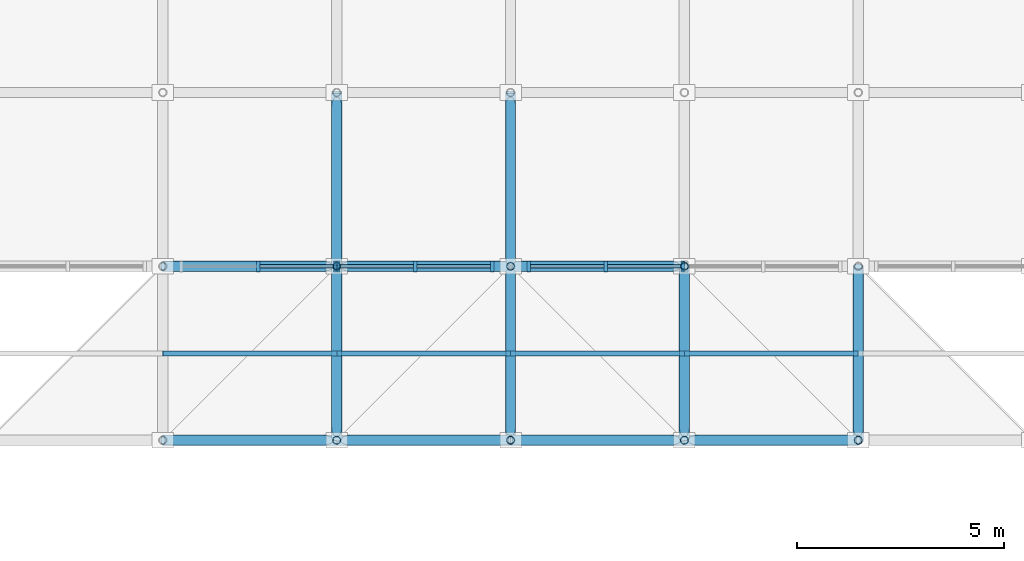
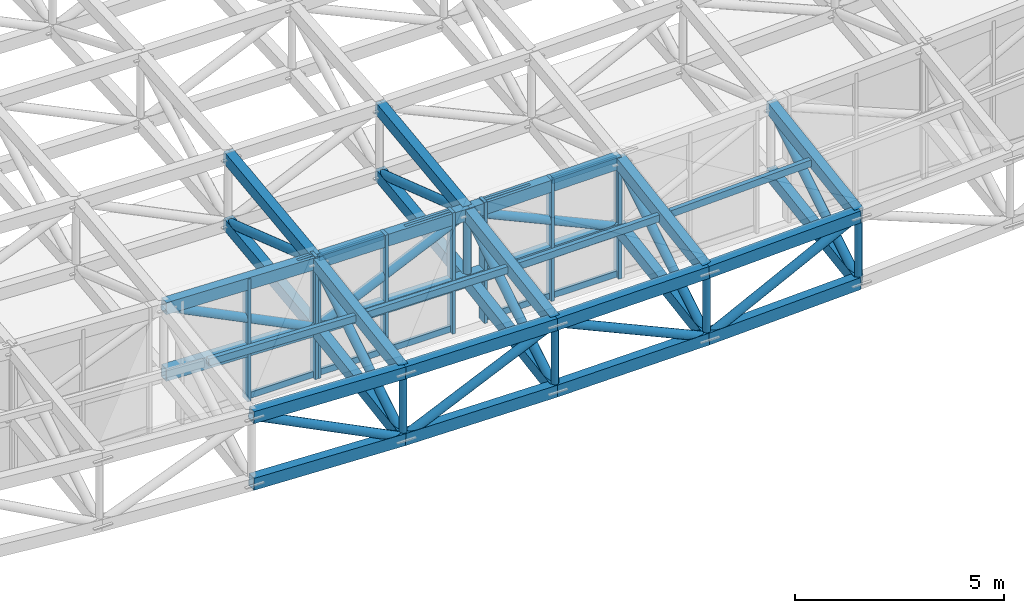
# One storey, part 39 of 111: 68 members, 3 elements without a shape of their own.
"""IFC4 building model written with IfcOpenShell, lengths in metres."""

from ifc_helpers import new_model, si_unit, direction, frame, origin, origin_2d, place, context, subcontext, project, spatial, rectangle, hollow_rectangle, hollow_circle, extrude, material, material_profile, profile_set, type_object, element, aggregate, save


model = new_model("IFC4")

# Units and contexts
model_context = context("Model", 3, precision=1e-05, world=origin(), true_north=direction((0.0, 1.0)))
body_context = subcontext(model_context, "Body", "Model", "MODEL_VIEW")
ifc_project = project(units=[si_unit("LENGTHUNIT", "METRE"), si_unit("AREAUNIT", "SQUARE_METRE"), si_unit("VOLUMEUNIT", "CUBIC_METRE"), si_unit("PLANEANGLEUNIT", "RADIAN"), si_unit("MASSUNIT", "GRAM", prefix="KILO")], contexts=[model_context])

# Site, building, storey
site_placement = place(None, origin())
site = spatial("IfcSite", under=ifc_project, at=site_placement, CompositionType="ELEMENT")
building_placement = place(site_placement, origin())
building = spatial("IfcBuilding", under=site, at=building_placement, Name="Cumbredor Promenade Congress Hotel", CompositionType="ELEMENT")
storey_placement = place(building_placement, frame((0.0, 0.0, 15.1201171875)))
storey = spatial("IfcBuildingStorey", under=building, at=storey_placement, Name="L04", CompositionType="ELEMENT", Elevation=15.1201171875)

# Curtain wall, members
ifc_material_1 = material(Name="Thermally broken anodized aluminium and low-E glass", Category="aluminium")
curtain_wall_type = type_object("IfcCurtainWallType", Name="Stepped Pavilion Clerestory Curtain Wall CW-06", PredefinedType="NOTDEFINED", material=ifc_material_1)
curtain_wall_1_placement = place(storey_placement, origin())
curtain_wall_1 = element("IfcCurtainWall", 1, at=curtain_wall_1_placement, inside=storey, type_object=curtain_wall_type, Name="Pre-Function and Breakout Meeting Forum S Glazed Clerestory 9", PredefinedType="NOTDEFINED")
ifc_material_2 = material(Name="Thermally broken anodized aluminium", Category="aluminium")
ifc_material_profile_1 = material_profile(ifc_material_2, rectangle(XDim=0.0849609375, YDim=0.260009765625, at=origin_2d()), Name="ALU MULLION CLERESTORY 85x260")
ifc_profile_set_1 = profile_set([ifc_material_profile_1], Name="Thermally broken anodized aluminium")
member_type_1 = type_object("IfcMemberType", Name="Curtain Wall Mullion ML-04", PredefinedType="MULLION", material=ifc_profile_set_1)
member_1_placement = place(storey_placement, frame((128.300048828125, 84.0, -0.01806640625), z_axis=(0.0, 0.0, 1.0), x_axis=(1.0, 0.0, 0.0)))
member_1 = element("IfcMember", 2, at=member_1_placement, type_object=member_type_1, Name="Pre-Function and Breakout Meeting Forum S Glazed Clerestory 9 Mullion 2", PredefinedType="MULLION", context=body_context, shape_type="SweptSolid", body=[
    extrude(rectangle(XDim=0.0849609375, YDim=0.260009765625, at=origin_2d()), origin(), (0.0, 0.0, 1.0), 3.5888671875),
])
member_2_placement = place(storey_placement, frame((130.159912109375, 84.0, -0.01806640625), z_axis=(0.0, 0.0, 1.0), x_axis=(1.0, 0.0, 0.0)))
member_2 = element("IfcMember", 3, at=member_2_placement, type_object=member_type_1, Name="Pre-Function and Breakout Meeting Forum S Glazed Clerestory 9 Mullion 3", PredefinedType="MULLION", context=body_context, shape_type="SweptSolid", body=[
    extrude(rectangle(XDim=0.0849609375, YDim=0.260009765625, at=origin_2d()), origin(), (0.0, 0.0, 1.0), 3.5888671875),
])

curtain_wall_2_placement = place(storey_placement, origin())
curtain_wall_2 = element("IfcCurtainWall", 4, at=curtain_wall_2_placement, inside=storey, type_object=curtain_wall_type, Name="Pre-Function and Breakout Meeting Forum S Glazed Clerestory 10", PredefinedType="NOTDEFINED")
member_3_placement = place(storey_placement, frame((130.239990234375, 84.0, -0.01806640625), z_axis=(0.0, 0.0, 1.0), x_axis=(1.0, 0.0, 0.0)))
member_3 = element("IfcMember", 5, at=member_3_placement, type_object=member_type_1, Name="Pre-Function and Breakout Meeting Forum S Glazed Clerestory 10 Mullion 1", PredefinedType="MULLION", context=body_context, shape_type="SweptSolid", body=[
    extrude(rectangle(XDim=0.0849609375, YDim=0.260009765625, at=origin_2d()), origin(), (0.0, 0.0, 1.0), 3.546630859375),
])
member_4_placement = place(storey_placement, frame((132.10009765625, 84.0, -0.01806640625), z_axis=(0.0, 0.0, 1.0), x_axis=(1.0, 0.0, 0.0)))
member_4 = element("IfcMember", 6, at=member_4_placement, type_object=member_type_1, Name="Pre-Function and Breakout Meeting Forum S Glazed Clerestory 10 Mullion 2", PredefinedType="MULLION", context=body_context, shape_type="SweptSolid", body=[
    extrude(rectangle(XDim=0.0849609375, YDim=0.260009765625, at=origin_2d()), origin(), (0.0, 0.0, 1.0), 3.546630859375),
])
member_5_placement = place(storey_placement, frame((133.9599609375, 84.0, -0.01806640625), z_axis=(0.0, 0.0, 1.0), x_axis=(1.0, 0.0, 0.0)))
member_5 = element("IfcMember", 7, at=member_5_placement, type_object=member_type_1, Name="Pre-Function and Breakout Meeting Forum S Glazed Clerestory 10 Mullion 3", PredefinedType="MULLION", context=body_context, shape_type="SweptSolid", body=[
    extrude(rectangle(XDim=0.0849609375, YDim=0.260009765625, at=origin_2d()), origin(), (0.0, 0.0, 1.0), 3.546630859375),
])

curtain_wall_3_placement = place(storey_placement, origin())
curtain_wall_3 = element("IfcCurtainWall", 8, at=curtain_wall_3_placement, inside=storey, type_object=curtain_wall_type, Name="Pre-Function and Breakout Meeting Forum S Glazed Clerestory 11", PredefinedType="NOTDEFINED")
member_6_placement = place(storey_placement, frame((134.840087890625, 84.0, -0.01806640625), z_axis=(0.0, 0.0, 1.0), x_axis=(1.0, 0.0, 0.0)))
member_6 = element("IfcMember", 9, at=member_6_placement, type_object=member_type_1, Name="Pre-Function and Breakout Meeting Forum S Glazed Clerestory 11 Mullion 1", PredefinedType="MULLION", context=body_context, shape_type="SweptSolid", body=[
    extrude(rectangle(XDim=0.0849609375, YDim=0.260009765625, at=origin_2d()), origin(), (0.0, 0.0, 1.0), 3.546630859375),
])
member_7_placement = place(storey_placement, frame((136.699951171875, 84.0, -0.01806640625), z_axis=(0.0, 0.0, 1.0), x_axis=(1.0, 0.0, 0.0)))
member_7 = element("IfcMember", 10, at=member_7_placement, type_object=member_type_1, Name="Pre-Function and Breakout Meeting Forum S Glazed Clerestory 11 Mullion 2", PredefinedType="MULLION", context=body_context, shape_type="SweptSolid", body=[
    extrude(rectangle(XDim=0.0849609375, YDim=0.260009765625, at=origin_2d()), origin(), (0.0, 0.0, 1.0), 3.546630859375),
])
member_8_placement = place(storey_placement, frame((138.56005859375, 84.0, -0.01806640625), z_axis=(0.0, 0.0, 1.0), x_axis=(1.0, 0.0, 0.0)))
member_8 = element("IfcMember", 11, at=member_8_placement, type_object=member_type_1, Name="Pre-Function and Breakout Meeting Forum S Glazed Clerestory 11 Mullion 3", PredefinedType="MULLION", context=body_context, shape_type="SweptSolid", body=[
    extrude(rectangle(XDim=0.0849609375, YDim=0.260009765625, at=origin_2d()), origin(), (0.0, 0.0, 1.0), 3.546630859375),
])

# Member
ifc_material_profile_2 = material_profile(ifc_material_2, rectangle(XDim=0.080078125, YDim=0.179931640625, at=origin_2d()), Name="ALU TRANSOM 80x180")
ifc_profile_set_2 = profile_set([ifc_material_profile_2], Name="Thermally broken anodized aluminium")
member_type_2 = type_object("IfcMemberType", Name="Curtain Wall Transom TR-03", PredefinedType="USERDEFINED", material=ifc_profile_set_2)
member_9_placement = place(storey_placement, frame((128.342529296875, 84.0, 0.079833984375), z_axis=(1.0, 0.0, 0.0), x_axis=(0.0, 1.0, 0.0)))
member_9 = element("IfcMember", 12, at=member_9_placement, type_object=member_type_2, Name="Pre-Function and Breakout Meeting Forum S Glazed Clerestory 9 Transom 2.1", ObjectType="TRANSOM", PredefinedType="USERDEFINED", context=body_context, shape_type="SweptSolid", body=[
    extrude(rectangle(XDim=0.080078125, YDim=0.179931640625, at=origin_2d()), origin(), (0.0, 0.0, 1.0), 1.77490234375),
])

member_10_placement = place(storey_placement, frame((128.342529296875, 84.0, 3.469970703125), z_axis=(1.0, 0.0, 0.0), x_axis=(0.0, 1.0, 0.0)))
member_10 = element("IfcMember", 13, at=member_10_placement, type_object=member_type_2, Name="Pre-Function and Breakout Meeting Forum S Glazed Clerestory 9 Transom 2.2", ObjectType="TRANSOM", PredefinedType="USERDEFINED", context=body_context, shape_type="SweptSolid", body=[
    extrude(rectangle(XDim=0.080078125, YDim=0.179931640625, at=origin_2d()), origin(), (0.0, 0.0, 1.0), 1.77490234375),
])

aggregate(curtain_wall_1, [member_1, member_2, member_9, member_10])

member_11_placement = place(storey_placement, frame((130.282470703125, 84.0, 0.079833984375), z_axis=(1.0, 0.0, 0.0), x_axis=(0.0, 1.0, 0.0)))
member_11 = element("IfcMember", 14, at=member_11_placement, type_object=member_type_2, Name="Pre-Function and Breakout Meeting Forum S Glazed Clerestory 10 Transom 1.1", ObjectType="TRANSOM", PredefinedType="USERDEFINED", context=body_context, shape_type="SweptSolid", body=[
    extrude(rectangle(XDim=0.080078125, YDim=0.179931640625, at=origin_2d()), origin(), (0.0, 0.0, 1.0), 1.775146484375),
])

member_12_placement = place(storey_placement, frame((130.282470703125, 84.0, 3.429931640625), z_axis=(1.0, 0.0, 0.0), x_axis=(0.0, 1.0, 0.0)))
member_12 = element("IfcMember", 15, at=member_12_placement, type_object=member_type_2, Name="Pre-Function and Breakout Meeting Forum S Glazed Clerestory 10 Transom 1.2", ObjectType="TRANSOM", PredefinedType="USERDEFINED", context=body_context, shape_type="SweptSolid", body=[
    extrude(rectangle(XDim=0.080078125, YDim=0.179931640625, at=origin_2d()), origin(), (0.0, 0.0, 1.0), 1.775146484375),
])

member_13_placement = place(storey_placement, frame((132.142578125, 84.0, 0.079833984375), z_axis=(1.0, 0.0, 0.0), x_axis=(0.0, 1.0, 0.0)))
member_13 = element("IfcMember", 16, at=member_13_placement, type_object=member_type_2, Name="Pre-Function and Breakout Meeting Forum S Glazed Clerestory 10 Transom 2.1", ObjectType="TRANSOM", PredefinedType="USERDEFINED", context=body_context, shape_type="SweptSolid", body=[
    extrude(rectangle(XDim=0.080078125, YDim=0.179931640625, at=origin_2d()), origin(), (0.0, 0.0, 1.0), 1.77490234375),
])

member_14_placement = place(storey_placement, frame((132.142578125, 84.0, 3.429931640625), z_axis=(1.0, 0.0, 0.0), x_axis=(0.0, 1.0, 0.0)))
member_14 = element("IfcMember", 17, at=member_14_placement, type_object=member_type_2, Name="Pre-Function and Breakout Meeting Forum S Glazed Clerestory 10 Transom 2.2", ObjectType="TRANSOM", PredefinedType="USERDEFINED", context=body_context, shape_type="SweptSolid", body=[
    extrude(rectangle(XDim=0.080078125, YDim=0.179931640625, at=origin_2d()), origin(), (0.0, 0.0, 1.0), 1.77490234375),
])

aggregate(curtain_wall_2, [member_3, member_4, member_5, member_11, member_12, member_13, member_14])

member_15_placement = place(storey_placement, frame((134.882568359375, 84.0, 0.079833984375), z_axis=(1.0, 0.0, 0.0), x_axis=(0.0, 1.0, 0.0)))
member_15 = element("IfcMember", 18, at=member_15_placement, type_object=member_type_2, Name="Pre-Function and Breakout Meeting Forum S Glazed Clerestory 11 Transom 1.1", ObjectType="TRANSOM", PredefinedType="USERDEFINED", context=body_context, shape_type="SweptSolid", body=[
    extrude(rectangle(XDim=0.080078125, YDim=0.179931640625, at=origin_2d()), origin(), (0.0, 0.0, 1.0), 1.77490234375),
])

member_16_placement = place(storey_placement, frame((134.882568359375, 84.0, 3.429931640625), z_axis=(1.0, 0.0, 0.0), x_axis=(0.0, 1.0, 0.0)))
member_16 = element("IfcMember", 19, at=member_16_placement, type_object=member_type_2, Name="Pre-Function and Breakout Meeting Forum S Glazed Clerestory 11 Transom 1.2", ObjectType="TRANSOM", PredefinedType="USERDEFINED", context=body_context, shape_type="SweptSolid", body=[
    extrude(rectangle(XDim=0.080078125, YDim=0.179931640625, at=origin_2d()), origin(), (0.0, 0.0, 1.0), 1.77490234375),
])

member_17_placement = place(storey_placement, frame((136.742431640625, 84.0, 0.079833984375), z_axis=(1.0, 0.0, 0.0), x_axis=(0.0, 1.0, 0.0)))
member_17 = element("IfcMember", 20, at=member_17_placement, type_object=member_type_2, Name="Pre-Function and Breakout Meeting Forum S Glazed Clerestory 11 Transom 2.1", ObjectType="TRANSOM", PredefinedType="USERDEFINED", context=body_context, shape_type="SweptSolid", body=[
    extrude(rectangle(XDim=0.080078125, YDim=0.179931640625, at=origin_2d()), origin(), (0.0, 0.0, 1.0), 1.775146484375),
])

member_18_placement = place(storey_placement, frame((136.742431640625, 84.0, 3.429931640625), z_axis=(1.0, 0.0, 0.0), x_axis=(0.0, 1.0, 0.0)))
member_18 = element("IfcMember", 21, at=member_18_placement, type_object=member_type_2, Name="Pre-Function and Breakout Meeting Forum S Glazed Clerestory 11 Transom 2.2", ObjectType="TRANSOM", PredefinedType="USERDEFINED", context=body_context, shape_type="SweptSolid", body=[
    extrude(rectangle(XDim=0.080078125, YDim=0.179931640625, at=origin_2d()), origin(), (0.0, 0.0, 1.0), 1.775146484375),
])

aggregate(curtain_wall_3, [member_6, member_7, member_8, member_15, member_16, member_17, member_18])

# Members
ifc_material_3 = material(Name="Steel ASTM A500 Grade C", Category="steel")
ifc_material_profile_3 = material_profile(ifc_material_3, hollow_rectangle(XDim=0.25, YDim=0.35009765625, WallThickness=0.01611328125, at=origin_2d()), Name="HSS 350x250x16")
ifc_profile_set_3 = profile_set([ifc_material_profile_3], Name="Steel ASTM A500 Grade C")
member_type_3 = type_object("IfcMemberType", Name="Forum Roof Truss Chord", PredefinedType="CHORD", material=ifc_profile_set_3)
for number, where, z_axis, x_axis, name in (
    (22, (126.0, 79.800048828125, 2.85498046875), (0.999286944012, 0.0, -0.037757165239), (0.0, 1.0, 0.0), "Pre-Function and Breakout Meeting Forum X Top Chord 10.1"),
    (23, (126.0, 79.800048828125, 0.905029296875), (0.999286944012, 0.0, -0.037757165239), (0.0, 1.0, 0.0), "Pre-Function and Breakout Meeting Forum X Bottom Chord 10.1"),
):
    element("IfcMember", number, at=place(storey_placement, frame(where, z_axis=z_axis, x_axis=x_axis)), inside=storey, type_object=member_type_3, Name=name, PredefinedType="CHORD", context=body_context, shape_type="SweptSolid", body=[
        extrude(hollow_rectangle(XDim=0.25, YDim=0.35009765625, WallThickness=0.01611328125, at=origin_2d()), origin(), (0.0, 0.0, 1.0), 4.202880859375),
    ])
for number, where, z_axis, x_axis, name in (
    (24, (130.199951171875, 79.800048828125, 2.6962890625), (0.999921183385, 0.0, -0.012554959926), (0.0, 1.0, 0.0), "Pre-Function and Breakout Meeting Forum X Top Chord 11.1"),
    (25, (130.199951171875, 79.800048828125, 0.746337890625), (0.999921183385, 0.0, -0.012554959926), (0.0, 1.0, 0.0), "Pre-Function and Breakout Meeting Forum X Bottom Chord 11.1"),
):
    element("IfcMember", number, at=place(storey_placement, frame(where, z_axis=z_axis, x_axis=x_axis)), inside=storey, type_object=member_type_3, Name=name, PredefinedType="CHORD", context=body_context, shape_type="SweptSolid", body=[
        extrude(hollow_rectangle(XDim=0.25, YDim=0.35009765625, WallThickness=0.01611328125, at=origin_2d()), origin(), (0.0, 0.0, 1.0), 4.2001953125),
    ])
for number, where, z_axis, x_axis, name in (
    (26, (134.39990234375, 79.800048828125, 2.6435546875), (0.999921192546, 0.0, 0.012554230271), (0.0, 1.0, 0.0), "Pre-Function and Breakout Meeting Forum X Top Chord 12.1"),
    (27, (134.39990234375, 79.800048828125, 0.693603515625), (0.999921192546, 0.0, 0.012554230271), (0.0, 1.0, 0.0), "Pre-Function and Breakout Meeting Forum X Bottom Chord 12.1"),
):
    element("IfcMember", number, at=place(storey_placement, frame(where, z_axis=z_axis, x_axis=x_axis)), inside=storey, type_object=member_type_3, Name=name, PredefinedType="CHORD", context=body_context, shape_type="SweptSolid", body=[
        extrude(hollow_rectangle(XDim=0.25, YDim=0.35009765625, WallThickness=0.01611328125, at=origin_2d()), origin(), (0.0, 0.0, 1.0), 4.200439453125),
    ])
for number, where, z_axis, x_axis, name in (
    (28, (138.60009765625, 79.800048828125, 2.6962890625), (0.999286944012, 0.0, 0.037757165239), (0.0, 1.0, 0.0), "Pre-Function and Breakout Meeting Forum X Top Chord 13.1"),
    (29, (138.60009765625, 79.800048828125, 0.746337890625), (0.999286944012, 0.0, 0.037757165239), (0.0, 1.0, 0.0), "Pre-Function and Breakout Meeting Forum X Bottom Chord 13.1"),
):
    element("IfcMember", number, at=place(storey_placement, frame(where, z_axis=z_axis, x_axis=x_axis)), inside=storey, type_object=member_type_3, Name=name, PredefinedType="CHORD", context=body_context, shape_type="SweptSolid", body=[
        extrude(hollow_rectangle(XDim=0.25, YDim=0.35009765625, WallThickness=0.01611328125, at=origin_2d()), origin(), (0.0, 0.0, 1.0), 4.202880859375),
    ])
for number, where, z_axis, x_axis, name in (
    (30, (126.0, 84.0, 3.49609375), (0.999546971061, 0.0, -0.03009738598), (0.0, 1.0, 0.0), "Pre-Function and Breakout Meeting Forum X Top Chord 10.2"),
    (31, (126.0, 84.0, 1.546142578125), (0.999546971061, 0.0, -0.03009738598), (0.0, 1.0, 0.0), "Pre-Function and Breakout Meeting Forum X Bottom Chord 10.2"),
):
    element("IfcMember", number, at=place(storey_placement, frame(where, z_axis=z_axis, x_axis=x_axis)), inside=storey, type_object=member_type_3, Name=name, PredefinedType="CHORD", context=body_context, shape_type="SweptSolid", body=[
        extrude(hollow_rectangle(XDim=0.25, YDim=0.35009765625, WallThickness=0.01611328125, at=origin_2d()), origin(), (0.0, 0.0, 1.0), 4.201904296875),
    ])
for number, where, z_axis, x_axis, name in (
    (32, (130.199951171875, 84.0, 3.36962890625), (0.999950021184, 0.0, -0.009997756417), (0.0, 1.0, 0.0), "Pre-Function and Breakout Meeting Forum X Top Chord 11.2"),
    (33, (130.199951171875, 84.0, 1.419677734375), (0.999950021184, 0.0, -0.009997756417), (0.0, 1.0, 0.0), "Pre-Function and Breakout Meeting Forum X Bottom Chord 11.2"),
):
    element("IfcMember", number, at=place(storey_placement, frame(where, z_axis=z_axis, x_axis=x_axis)), inside=storey, type_object=member_type_3, Name=name, PredefinedType="CHORD", context=body_context, shape_type="SweptSolid", body=[
        extrude(hollow_rectangle(XDim=0.25, YDim=0.35009765625, WallThickness=0.01611328125, at=origin_2d()), origin(), (0.0, 0.0, 1.0), 4.2001953125),
    ])
for number, where, z_axis, x_axis, name in (
    (34, (134.39990234375, 84.0, 3.32763671875), (0.999950026994, 0.0, 0.009997175345), (0.0, 1.0, 0.0), "Pre-Function and Breakout Meeting Forum X Top Chord 12.2"),
    (35, (134.39990234375, 84.0, 1.377685546875), (0.999950026994, 0.0, 0.009997175345), (0.0, 1.0, 0.0), "Pre-Function and Breakout Meeting Forum X Bottom Chord 12.2"),
):
    element("IfcMember", number, at=place(storey_placement, frame(where, z_axis=z_axis, x_axis=x_axis)), inside=storey, type_object=member_type_3, Name=name, PredefinedType="CHORD", context=body_context, shape_type="SweptSolid", body=[
        extrude(hollow_rectangle(XDim=0.25, YDim=0.35009765625, WallThickness=0.01611328125, at=origin_2d()), origin(), (0.0, 0.0, 1.0), 4.200439453125),
    ])
for number, where, z_axis, x_axis, name in (
    (36, (130.199951171875, 79.800048828125, 2.6962890625), (0.0, 0.987391156385, 0.158299413434), (-1.0, 0.0, 0.0), "Pre-Function and Breakout Meeting Forum Y Top Chord 11.1"),
    (37, (130.199951171875, 79.800048828125, 0.746337890625), (0.0, 0.987391156385, 0.158299413434), (-1.0, 0.0, 0.0), "Pre-Function and Breakout Meeting Forum Y Bottom Chord 11.1"),
):
    element("IfcMember", number, at=place(storey_placement, frame(where, z_axis=z_axis, x_axis=x_axis)), inside=storey, type_object=member_type_3, Name=name, PredefinedType="CHORD", context=body_context, shape_type="SweptSolid", body=[
        extrude(hollow_rectangle(XDim=0.25, YDim=0.35009765625, WallThickness=0.01611328125, at=origin_2d()), origin(), (0.0, 0.0, 1.0), 4.253662109375),
    ])
for number, where, z_axis, x_axis, name in (
    (38, (130.199951171875, 84.0, 3.36962890625), (0.0, 0.992273439136, 0.124070230052), (-1.0, 0.0, 0.0), "Pre-Function and Breakout Meeting Forum Y Top Chord 11.2"),
    (39, (130.199951171875, 84.0, 1.419677734375), (0.0, 0.992273439136, 0.124070230052), (-1.0, 0.0, 0.0), "Pre-Function and Breakout Meeting Forum Y Bottom Chord 11.2"),
):
    element("IfcMember", number, at=place(storey_placement, frame(where, z_axis=z_axis, x_axis=x_axis)), inside=storey, type_object=member_type_3, Name=name, PredefinedType="CHORD", context=body_context, shape_type="SweptSolid", body=[
        extrude(hollow_rectangle(XDim=0.25, YDim=0.35009765625, WallThickness=0.01611328125, at=origin_2d()), origin(), (0.0, 0.0, 1.0), 4.232666015625),
    ])
for number, where, z_axis, x_axis, name in (
    (40, (134.39990234375, 79.800048828125, 2.6435546875), (0.0, 0.986993512432, 0.160760089626), (-1.0, 0.0, 0.0), "Pre-Function and Breakout Meeting Forum Y Top Chord 12.1"),
    (41, (134.39990234375, 79.800048828125, 0.693603515625), (0.0, 0.986993512432, 0.160760089626), (-1.0, 0.0, 0.0), "Pre-Function and Breakout Meeting Forum Y Bottom Chord 12.1"),
):
    element("IfcMember", number, at=place(storey_placement, frame(where, z_axis=z_axis, x_axis=x_axis)), inside=storey, type_object=member_type_3, Name=name, PredefinedType="CHORD", context=body_context, shape_type="SweptSolid", body=[
        extrude(hollow_rectangle(XDim=0.25, YDim=0.35009765625, WallThickness=0.01611328125, at=origin_2d()), origin(), (0.0, 0.0, 1.0), 4.25537109375),
    ])
for number, where, z_axis, x_axis, name in (
    (42, (134.39990234375, 84.0, 3.32763671875), (0.0, 0.992037389261, 0.125943710873), (-1.0, 0.0, 0.0), "Pre-Function and Breakout Meeting Forum Y Top Chord 12.2"),
    (43, (134.39990234375, 84.0, 1.377685546875), (0.0, 0.992037389261, 0.125943710873), (-1.0, 0.0, 0.0), "Pre-Function and Breakout Meeting Forum Y Bottom Chord 12.2"),
):
    element("IfcMember", number, at=place(storey_placement, frame(where, z_axis=z_axis, x_axis=x_axis)), inside=storey, type_object=member_type_3, Name=name, PredefinedType="CHORD", context=body_context, shape_type="SweptSolid", body=[
        extrude(hollow_rectangle(XDim=0.25, YDim=0.35009765625, WallThickness=0.01611328125, at=origin_2d()), origin(), (0.0, 0.0, 1.0), 4.233642578125),
    ])
for number, where, z_axis, x_axis, name in (
    (44, (138.60009765625, 79.800048828125, 2.6962890625), (0.0, 0.987391156385, 0.158299413434), (-1.0, 0.0, 0.0), "Pre-Function and Breakout Meeting Forum Y Top Chord 13.1"),
    (45, (138.60009765625, 79.800048828125, 0.746337890625), (0.0, 0.987391156385, 0.158299413434), (-1.0, 0.0, 0.0), "Pre-Function and Breakout Meeting Forum Y Bottom Chord 13.1"),
):
    element("IfcMember", number, at=place(storey_placement, frame(where, z_axis=z_axis, x_axis=x_axis)), inside=storey, type_object=member_type_3, Name=name, PredefinedType="CHORD", context=body_context, shape_type="SweptSolid", body=[
        extrude(hollow_rectangle(XDim=0.25, YDim=0.35009765625, WallThickness=0.01611328125, at=origin_2d()), origin(), (0.0, 0.0, 1.0), 4.253662109375),
    ])
for number, where, z_axis, x_axis, name in (
    (46, (142.800048828125, 79.800048828125, 2.85498046875), (0.0, 0.988549058169, 0.15089983298), (-1.0, 0.0, 0.0), "Pre-Function and Breakout Meeting Forum Y Top Chord 14.1"),
    (47, (142.800048828125, 79.800048828125, 0.905029296875), (0.0, 0.988549058169, 0.15089983298), (-1.0, 0.0, 0.0), "Pre-Function and Breakout Meeting Forum Y Bottom Chord 14.1"),
):
    element("IfcMember", number, at=place(storey_placement, frame(where, z_axis=z_axis, x_axis=x_axis)), inside=storey, type_object=member_type_3, Name=name, PredefinedType="CHORD", context=body_context, shape_type="SweptSolid", body=[
        extrude(hollow_rectangle(XDim=0.25, YDim=0.35009765625, WallThickness=0.01611328125, at=origin_2d()), origin(), (0.0, 0.0, 1.0), 4.24853515625),
    ])
ifc_material_profile_4 = material_profile(ifc_material_3, hollow_rectangle(XDim=0.1201171875, YDim=0.199951171875, WallThickness=0.010009765625, at=origin_2d()), Name="HSS 200x120x10")
ifc_profile_set_4 = profile_set([ifc_material_profile_4], Name="Steel ASTM A500 Grade C")
member_type_4 = type_object("IfcMemberType", Name="Roof Purlin HSS200x120", PredefinedType="PURLIN", material=ifc_profile_set_4)
member_19_placement = place(storey_placement, frame((126.0, 81.89990234375, 3.155517578125), z_axis=(0.999426247166, 0.0, -0.033869993728), x_axis=(0.0, 1.0, 0.0)))
element("IfcMember", 48, at=member_19_placement, inside=storey, type_object=member_type_4, Name="Pre-Function and Breakout Meeting Forum Roof Eave Purlin 10.1", PredefinedType="PURLIN", context=body_context, shape_type="SweptSolid", body=[
    extrude(hollow_rectangle(XDim=0.1201171875, YDim=0.199951171875, WallThickness=0.010009765625, at=origin_2d()), origin(), (0.0, 0.0, 1.0), 4.202392578125),
])
member_20_placement = place(storey_placement, frame((130.199951171875, 81.89990234375, 3.01318359375), z_axis=(0.999935762445, 0.0, -0.011334504079), x_axis=(0.0, 1.0, 0.0)))
element("IfcMember", 49, at=member_20_placement, inside=storey, type_object=member_type_4, Name="Pre-Function and Breakout Meeting Forum Roof Eave Purlin 11.1", PredefinedType="PURLIN", context=body_context, shape_type="SweptSolid", body=[
    extrude(hollow_rectangle(XDim=0.1201171875, YDim=0.199951171875, WallThickness=0.010009765625, at=origin_2d()), origin(), (0.0, 0.0, 1.0), 4.2001953125),
])
member_21_placement = place(storey_placement, frame((134.39990234375, 81.89990234375, 2.965576171875), z_axis=(0.999935769912, 0.0, 0.011333845334), x_axis=(0.0, 1.0, 0.0)))
element("IfcMember", 50, at=member_21_placement, inside=storey, type_object=member_type_4, Name="Pre-Function and Breakout Meeting Forum Roof Eave Purlin 12.1", PredefinedType="PURLIN", context=body_context, shape_type="SweptSolid", body=[
    extrude(hollow_rectangle(XDim=0.1201171875, YDim=0.199951171875, WallThickness=0.010009765625, at=origin_2d()), origin(), (0.0, 0.0, 1.0), 4.200439453125),
])
member_22_placement = place(storey_placement, frame((138.60009765625, 81.89990234375, 3.01318359375), z_axis=(0.999426247166, 0.0, 0.033869993728), x_axis=(0.0, 1.0, 0.0)))
element("IfcMember", 51, at=member_22_placement, inside=storey, type_object=member_type_4, Name="Pre-Function and Breakout Meeting Forum Roof Eave Purlin 13.1", PredefinedType="PURLIN", context=body_context, shape_type="SweptSolid", body=[
    extrude(hollow_rectangle(XDim=0.1201171875, YDim=0.199951171875, WallThickness=0.010009765625, at=origin_2d()), origin(), (0.0, 0.0, 1.0), 4.202392578125),
])
ifc_material_profile_5 = material_profile(ifc_material_3, hollow_circle(Radius=0.122314453125, WallThickness=0.012451171875, at=origin_2d()), Name="CHS 244.5x12.5")
ifc_profile_set_5 = profile_set([ifc_material_profile_5], Name="Steel ASTM A500 Grade C")
member_type_5 = type_object("IfcMemberType", Name="Space Frame Web Diagonal D2", PredefinedType="BRACE", material=ifc_profile_set_5)
member_23_placement = place(storey_placement, frame((126.0, 79.800048828125, 2.85498046875), z_axis=(0.893688290422, 0.0, -0.448688354611), x_axis=(0.0, 1.0, 0.0)))
element("IfcMember", 52, at=member_23_placement, inside=storey, type_object=member_type_5, Name="Pre-Function and Breakout Meeting Forum X Web Diagonal 10.1", PredefinedType="BRACE", context=body_context, shape_type="SweptSolid", body=[
    extrude(hollow_circle(Radius=0.122314453125, WallThickness=0.012451171875, at=origin_2d()), origin(), (0.0, 0.0, 1.0), 4.699462890625),
])
member_24_placement = place(storey_placement, frame((130.199951171875, 79.800048828125, 0.746337890625), z_axis=(0.911332775988, 0.0, 0.411670464582), x_axis=(0.0, 1.0, 0.0)))
element("IfcMember", 53, at=member_24_placement, inside=storey, type_object=member_type_5, Name="Pre-Function and Breakout Meeting Forum X Web Diagonal 11.1", PredefinedType="BRACE", context=body_context, shape_type="SweptSolid", body=[
    extrude(hollow_circle(Radius=0.122314453125, WallThickness=0.012451171875, at=origin_2d()), origin(), (0.0, 0.0, 1.0), 4.608642578125),
])
member_25_placement = place(storey_placement, frame((134.39990234375, 79.800048828125, 2.6435546875), z_axis=(0.911341753186, 0.0, -0.411650590793), x_axis=(0.0, 1.0, 0.0)))
element("IfcMember", 54, at=member_25_placement, inside=storey, type_object=member_type_5, Name="Pre-Function and Breakout Meeting Forum X Web Diagonal 12.1", PredefinedType="BRACE", context=body_context, shape_type="SweptSolid", body=[
    extrude(hollow_circle(Radius=0.122314453125, WallThickness=0.012451171875, at=origin_2d()), origin(), (0.0, 0.0, 1.0), 4.60888671875),
])
member_26_placement = place(storey_placement, frame((138.60009765625, 79.800048828125, 0.746337890625), z_axis=(0.893688290422, 0.0, 0.448688354611), x_axis=(0.0, 1.0, 0.0)))
element("IfcMember", 55, at=member_26_placement, inside=storey, type_object=member_type_5, Name="Pre-Function and Breakout Meeting Forum X Web Diagonal 13.1", PredefinedType="BRACE", context=body_context, shape_type="SweptSolid", body=[
    extrude(hollow_circle(Radius=0.122314453125, WallThickness=0.012451171875, at=origin_2d()), origin(), (0.0, 0.0, 1.0), 4.699462890625),
])
member_27_placement = place(storey_placement, frame((126.0, 84.0, 3.49609375), z_axis=(0.89642954825, 0.0, -0.443186264481), x_axis=(0.0, 1.0, 0.0)))
element("IfcMember", 56, at=member_27_placement, inside=storey, type_object=member_type_5, Name="Pre-Function and Breakout Meeting Forum X Web Diagonal 10.2", PredefinedType="BRACE", context=body_context, shape_type="SweptSolid", body=[
    extrude(hollow_circle(Radius=0.122314453125, WallThickness=0.012451171875, at=origin_2d()), origin(), (0.0, 0.0, 1.0), 4.685302734375),
])
member_28_placement = place(storey_placement, frame((130.199951171875, 84.0, 1.419677734375), z_axis=(0.910457079467, 0.0, 0.413603561939), x_axis=(0.0, 1.0, 0.0)))
element("IfcMember", 57, at=member_28_placement, inside=storey, type_object=member_type_5, Name="Pre-Function and Breakout Meeting Forum X Web Diagonal 11.2", PredefinedType="BRACE", context=body_context, shape_type="SweptSolid", body=[
    extrude(hollow_circle(Radius=0.122314453125, WallThickness=0.012451171875, at=origin_2d()), origin(), (0.0, 0.0, 1.0), 4.613037109375),
])
member_29_placement = place(storey_placement, frame((134.39990234375, 84.0, 3.32763671875), z_axis=(0.910466132465, 0.0, -0.413583633179), x_axis=(0.0, 1.0, 0.0)))
element("IfcMember", 58, at=member_29_placement, inside=storey, type_object=member_type_5, Name="Pre-Function and Breakout Meeting Forum X Web Diagonal 12.2", PredefinedType="BRACE", context=body_context, shape_type="SweptSolid", body=[
    extrude(hollow_circle(Radius=0.122314453125, WallThickness=0.012451171875, at=origin_2d()), origin(), (0.0, 0.0, 1.0), 4.61328125),
])
member_30_placement = place(storey_placement, frame((130.199951171875, 79.800048828125, 0.746337890625), z_axis=(0.0, 0.848150608107, 0.529755175499), x_axis=(-1.0, 0.0, 0.0)))
element("IfcMember", 59, at=member_30_placement, inside=storey, type_object=member_type_5, Name="Pre-Function and Breakout Meeting Forum Y Web Diagonal 11.1", PredefinedType="BRACE", context=body_context, shape_type="SweptSolid", body=[
    extrude(hollow_circle(Radius=0.122314453125, WallThickness=0.012451171875, at=origin_2d()), origin(), (0.0, 0.0, 1.0), 4.951904296875),
])
member_31_placement = place(storey_placement, frame((130.199951171875, 84.0, 3.36962890625), z_axis=(0.0, 0.946990962251, -0.32126020204), x_axis=(-1.0, 0.0, 0.0)))
element("IfcMember", 60, at=member_31_placement, inside=storey, type_object=member_type_5, Name="Pre-Function and Breakout Meeting Forum Y Web Diagonal 11.2", PredefinedType="BRACE", context=body_context, shape_type="SweptSolid", body=[
    extrude(hollow_circle(Radius=0.122314453125, WallThickness=0.012451171875, at=origin_2d()), origin(), (0.0, 0.0, 1.0), 4.43505859375),
])
member_32_placement = place(storey_placement, frame((134.39990234375, 79.800048828125, 0.693603515625), z_axis=(0.0, 0.847175599244, 0.531313000072), x_axis=(-1.0, 0.0, 0.0)))
element("IfcMember", 61, at=member_32_placement, inside=storey, type_object=member_type_5, Name="Pre-Function and Breakout Meeting Forum Y Web Diagonal 12.1", PredefinedType="BRACE", context=body_context, shape_type="SweptSolid", body=[
    extrude(hollow_circle(Radius=0.122314453125, WallThickness=0.012451171875, at=origin_2d()), origin(), (0.0, 0.0, 1.0), 4.95751953125),
])
member_33_placement = place(storey_placement, frame((134.39990234375, 84.0, 3.32763671875), z_axis=(0.0, 0.947542541657, -0.319629679081), x_axis=(-1.0, 0.0, 0.0)))
element("IfcMember", 62, at=member_33_placement, inside=storey, type_object=member_type_5, Name="Pre-Function and Breakout Meeting Forum Y Web Diagonal 12.2", PredefinedType="BRACE", context=body_context, shape_type="SweptSolid", body=[
    extrude(hollow_circle(Radius=0.122314453125, WallThickness=0.012451171875, at=origin_2d()), origin(), (0.0, 0.0, 1.0), 4.432373046875),
])
member_34_placement = place(storey_placement, frame((138.60009765625, 79.800048828125, 0.746337890625), z_axis=(0.0, 0.848150608107, 0.529755175499), x_axis=(-1.0, 0.0, 0.0)))
element("IfcMember", 63, at=member_34_placement, inside=storey, type_object=member_type_5, Name="Pre-Function and Breakout Meeting Forum Y Web Diagonal 13.1", PredefinedType="BRACE", context=body_context, shape_type="SweptSolid", body=[
    extrude(hollow_circle(Radius=0.122314453125, WallThickness=0.012451171875, at=origin_2d()), origin(), (0.0, 0.0, 1.0), 4.951904296875),
])
member_35_placement = place(storey_placement, frame((142.800048828125, 79.800048828125, 0.905029296875), z_axis=(0.0, 0.851071760638, 0.525049386482), x_axis=(-1.0, 0.0, 0.0)))
element("IfcMember", 64, at=member_35_placement, inside=storey, type_object=member_type_5, Name="Pre-Function and Breakout Meeting Forum Y Web Diagonal 14.1", PredefinedType="BRACE", context=body_context, shape_type="SweptSolid", body=[
    extrude(hollow_circle(Radius=0.122314453125, WallThickness=0.012451171875, at=origin_2d()), origin(), (0.0, 0.0, 1.0), 4.934814453125),
])
ifc_material_profile_6 = material_profile(ifc_material_3, hollow_circle(Radius=0.096923828125, WallThickness=0.010009765625, at=origin_2d()), Name="CHS 193.7x10")
ifc_profile_set_6 = profile_set([ifc_material_profile_6], Name="Steel ASTM A500 Grade C")
member_type_6 = type_object("IfcMemberType", Name="Space Frame Web Post P1", PredefinedType="BRACE", material=ifc_profile_set_6)
for number, where, z_axis, x_axis, name in (
    (65, (130.199951171875, 79.800048828125, 0.746337890625), (0.0, 0.0, 1.0), (1.0, 0.0, 0.0), "Pre-Function and Breakout Meeting Forum Space Frame Web Post 11.1"),
    (66, (130.199951171875, 84.0, 1.419677734375), (0.0, 0.0, 1.0), (1.0, 0.0, 0.0), "Pre-Function and Breakout Meeting Forum Space Frame Web Post 11.2"),
    (67, (134.39990234375, 79.800048828125, 0.693603515625), (0.0, 0.0, 1.0), (1.0, 0.0, 0.0), "Pre-Function and Breakout Meeting Forum Space Frame Web Post 12.1"),
    (68, (134.39990234375, 84.0, 1.377685546875), (0.0, 0.0, 1.0), (1.0, 0.0, 0.0), "Pre-Function and Breakout Meeting Forum Space Frame Web Post 12.2"),
    (69, (138.60009765625, 79.800048828125, 0.746337890625), (0.0, 0.0, 1.0), (1.0, 0.0, 0.0), "Pre-Function and Breakout Meeting Forum Space Frame Web Post 13.1"),
    (70, (138.60009765625, 84.0, 1.419677734375), (0.0, 0.0, 1.0), (1.0, 0.0, 0.0), "Pre-Function and Breakout Meeting Forum Space Frame Web Post 13.2"),
    (71, (142.800048828125, 79.800048828125, 0.905029296875), (0.0, 0.0, 1.0), (1.0, 0.0, 0.0), "Pre-Function and Breakout Meeting Forum Space Frame Web Post 14.1"),
):
    element("IfcMember", number, at=place(storey_placement, frame(where, z_axis=z_axis, x_axis=x_axis)), inside=storey, type_object=member_type_6, Name=name, PredefinedType="BRACE", context=body_context, shape_type="SweptSolid", body=[
        extrude(hollow_circle(Radius=0.096923828125, WallThickness=0.010009765625, at=origin_2d()), origin(), (0.0, 0.0, 1.0), 1.949951171875),
    ])

save(model, "model.ifc")
